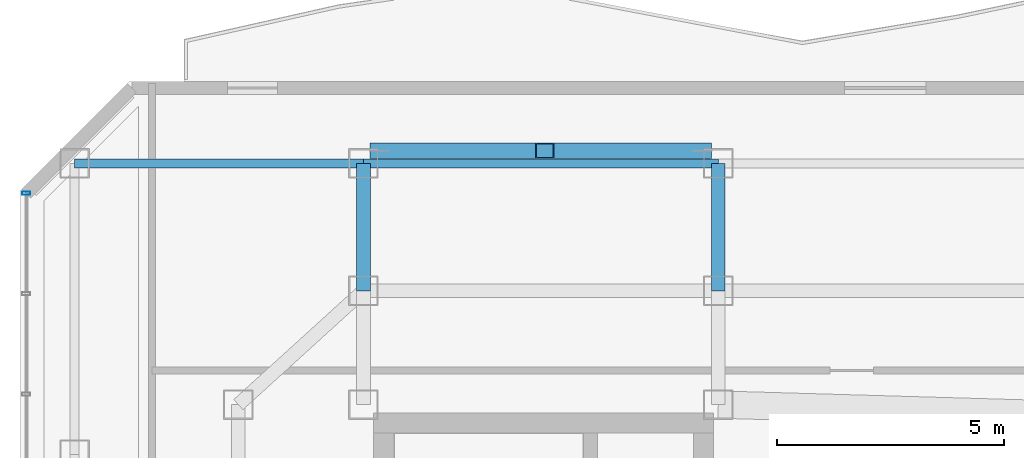
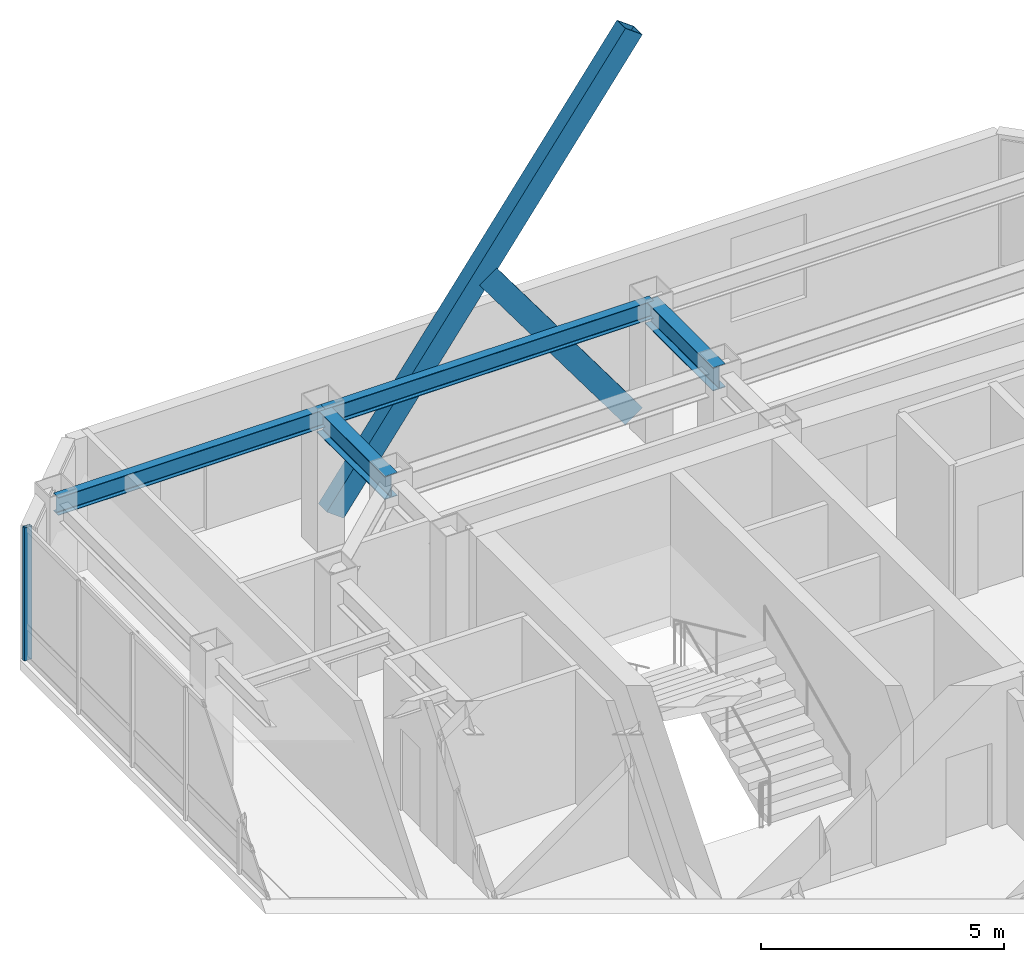
# One storey, part 14 of 22: 4 beams, 3 members, 1 element without a shape of its own.
"""IFC4 building model written with IfcOpenShell, lengths in metres."""

from ifc_helpers import new_model, si_unit, direction, frame, origin, origin_2d, place, context, subcontext, project, spatial, hollow_rectangle, i_section, extrude, material, layer, layer_set, material_profile, profile_set, type_object, element, aggregate, save


model = new_model("IFC4")

# Units and contexts
model_context = context("Model", 3, precision=1e-05, world=origin(), true_north=direction((0.0, 1.0)))
body_context = subcontext(model_context, "Body", "Model", "MODEL_VIEW")
ifc_project = project(units=[si_unit("LENGTHUNIT", "METRE"), si_unit("AREAUNIT", "SQUARE_METRE"), si_unit("VOLUMEUNIT", "CUBIC_METRE"), si_unit("PLANEANGLEUNIT", "RADIAN"), si_unit("MASSUNIT", "GRAM", prefix="KILO")], contexts=[model_context])

# Site, building, storey
site_placement = place(None, origin())
site = spatial("IfcSite", under=ifc_project, at=site_placement, CompositionType="ELEMENT")
building_placement = place(site_placement, origin())
building = spatial("IfcBuilding", under=site, at=building_placement, Name="Hatsunagi Terrace Concourse", CompositionType="ELEMENT")
storey_placement = place(building_placement, frame((0.0, 0.0, 239.550048828125)))
storey = spatial("IfcBuildingStorey", under=building, at=storey_placement, Name="L63", CompositionType="ELEMENT", Elevation=239.550048828125)

# Curtain wall, member
ifc_material_1 = material(Name="Anodised Aluminium Alloy 6063-T5", Category="aluminium")
ifc_layer = layer(ifc_material_1, 0.199951171875)
ifc_layer_set = layer_set([ifc_layer], Name="OfficeZone2_CW04")
curtain_wall_type = type_object("IfcCurtainWallType", Name="OfficeZone2_CW04", PredefinedType="NOTDEFINED", material=ifc_layer_set)
curtain_wall_placement = place(storey_placement, origin())
curtain_wall = element("IfcCurtainWall", 1, at=curtain_wall_placement, inside=storey, type_object=curtain_wall_type, Name="Unitised Curtain Wall CW-04 CW-L63-08", PredefinedType="NOTDEFINED")
ifc_material_2 = material(Name="Anodised Aluminium Alloy 6063-T5", Category="aluminium")
ifc_material_profile_1 = material_profile(ifc_material_2, hollow_rectangle(XDim=0.070068359375, YDim=0.179931640625, WallThickness=0.00390625, at=origin_2d()), Name="ALU-MUL-180x70x4")
ifc_profile_set_1 = profile_set([ifc_material_profile_1], Name="Anodised Aluminium Alloy 6063-T5")
member_type_1 = type_object("IfcMemberType", Name="CurtainWallMullion_180x70", PredefinedType="MULLION", material=ifc_profile_set_1)
member_1_placement = place(storey_placement, frame((18.139892578125, 47.94189453125, 0.0), z_axis=(0.0, 0.0, 1.0), x_axis=(0.0, 1.0, 0.0)))
member_1 = element("IfcMember", 2, at=member_1_placement, type_object=member_type_1, Name="Curtain Wall Mullion MUL-02", PredefinedType="MULLION", context=body_context, shape_type="SweptSolid", body=[
    extrude(hollow_rectangle(XDim=0.070068359375, YDim=0.179931640625, WallThickness=0.00390625, at=origin_2d()), origin(), (0.0, 0.0, 1.0), 3.349853515625),
])
aggregate(curtain_wall, [member_1])

# Beams
ifc_material_3 = material(Name="Steel SN490B", Category="steel")
ifc_material_profile_2 = material_profile(ifc_material_3, i_section(OverallWidth=0.300048828125, OverallDepth=0.587890625, WebThickness=0.011962890625, FlangeThickness=0.02001953125, FilletRadius=0.01806640625, at=origin_2d()), Name="H-588x300x12x20")
ifc_profile_set_2 = profile_set([ifc_material_profile_2], Name="Steel SN490B")
beam_type_1 = type_object("IfcBeamType", Name="OfficeHighGirder_H_588x300", PredefinedType="BEAM", material=ifc_profile_set_2)
for number, where, z_axis, x_axis, name in (
    (3, (25.550048828125, 45.800048828125, 3.055908203125), (0.0, 1.0, 0.0), (-1.0, 0.0, 0.0), "Beam G-06 BM-L63-KN-WN4"),
    (4, (33.35009765625, 45.800048828125, 3.055908203125), (0.0, 1.0, 0.0), (-1.0, 0.0, 0.0), "Beam G-06 BM-L63-KN-WN5"),
):
    element("IfcBeam", number, at=place(storey_placement, frame(where, z_axis=z_axis, x_axis=x_axis)), inside=storey, type_object=beam_type_1, Name=name, PredefinedType="BEAM", context=body_context, shape_type="SweptSolid", body=[
        extrude(i_section(OverallWidth=0.300048828125, OverallDepth=0.587890625, WebThickness=0.011962890625, FlangeThickness=0.02001953125, FilletRadius=0.01806640625, at=origin_2d()), origin(), (0.0, 0.0, 1.0), 2.800048828125),
    ])
ifc_material_4 = material(Name="Steel SN490B", Category="steel")
ifc_material_profile_3 = material_profile(ifc_material_4, i_section(OverallWidth=0.199951171875, OverallDepth=0.449951171875, WebThickness=0.009033203125, FlangeThickness=0.013916015625, FilletRadius=0.01611328125, at=origin_2d()), Name="H-450x200x9x14")
ifc_profile_set_3 = profile_set([ifc_material_profile_3], Name="Steel SN490B")
beam_type_2 = type_object("IfcBeamType", Name="PerimeterSpandrel_H_450x200", PredefinedType="SPANDREL", material=ifc_profile_set_3)
beam_1_placement = place(storey_placement, frame((19.199951171875, 48.60009765625, 3.125), z_axis=(1.0, 0.0, 0.0), x_axis=(0.0, 1.0, 0.0)))
element("IfcBeam", 5, at=beam_1_placement, inside=storey, type_object=beam_type_2, Name="Beam SP-02 BM-L63-WN-19", PredefinedType="SPANDREL", context=body_context, shape_type="SweptSolid", body=[
    extrude(i_section(OverallWidth=0.199951171875, OverallDepth=0.449951171875, WebThickness=0.009033203125, FlangeThickness=0.013916015625, FilletRadius=0.01611328125, at=origin_2d()), origin(), (0.0, 0.0, 1.0), 6.35009765625),
])
beam_2_placement = place(storey_placement, frame((25.550048828125, 48.60009765625, 3.125), z_axis=(1.0, 0.0, 0.0), x_axis=(0.0, 1.0, 0.0)))
element("IfcBeam", 6, at=beam_2_placement, inside=storey, type_object=beam_type_2, Name="Beam SP-02 BM-L63-WN-25", PredefinedType="SPANDREL", context=body_context, shape_type="SweptSolid", body=[
    extrude(i_section(OverallWidth=0.199951171875, OverallDepth=0.449951171875, WebThickness=0.009033203125, FlangeThickness=0.013916015625, FilletRadius=0.01611328125, at=origin_2d()), origin(), (0.0, 0.0, 1.0), 7.800048828125),
])

# Members
ifc_material_5 = material(Name="Steel SN490B", Category="steel")
ifc_material_profile_4 = material_profile(ifc_material_5, hollow_rectangle(XDim=0.35009765625, YDim=0.5, WallThickness=0.02197265625, at=origin_2d()), Name="RHS-500x350x22")
ifc_profile_set_4 = profile_set([ifc_material_profile_4], Name="Steel SN490B")
member_type_2 = type_object("IfcMemberType", Name="PerimeterXBrace_Upper_RHS_500x350x22", PredefinedType="BRACE", material=ifc_profile_set_4)
member_2_placement = place(storey_placement, frame((25.89990234375, 48.8798828125, 0.43994140625), z_axis=(0.591841744461, 0.0, 0.806054185222), x_axis=(0.0, 1.0, 0.0)))
element("IfcMember", 7, at=member_2_placement, inside=storey, type_object=member_type_2, Name="Perimeter X-Brace XB-03 XB-L63-SEA", PredefinedType="BRACE", context=body_context, shape_type="SweptSolid", body=[
    extrude(hollow_rectangle(XDim=0.35009765625, YDim=0.5, WallThickness=0.02197265625, at=origin_2d()), origin(), (0.0, 0.0, 1.0), 11.99658203125),
])
member_3_placement = place(storey_placement, frame((29.532958984375, 48.8798828125, 5.161865234375), z_axis=(0.591840545345, 0.0, -0.806055065666), x_axis=(0.0, 1.0, 0.0)))
element("IfcMember", 8, at=member_3_placement, inside=storey, type_object=member_type_2, Name="Perimeter X-Brace Split Lower XB-03 XB-L63-SEB2", PredefinedType="BRACE", context=body_context, shape_type="SweptSolid", body=[
    extrude(hollow_rectangle(XDim=0.35009765625, YDim=0.5, WallThickness=0.02197265625, at=origin_2d()), origin(), (0.0, 0.0, 1.0), 5.858154296875),
])

save(model, "model.ifc")
